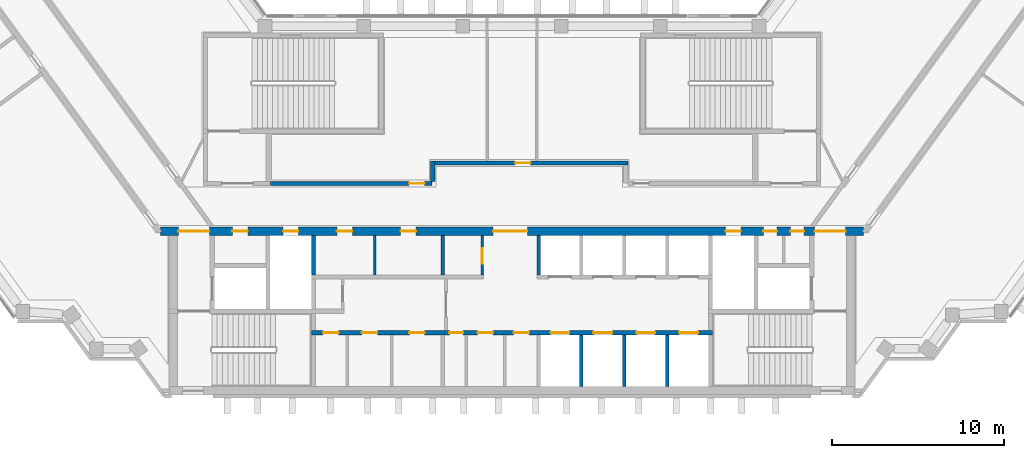
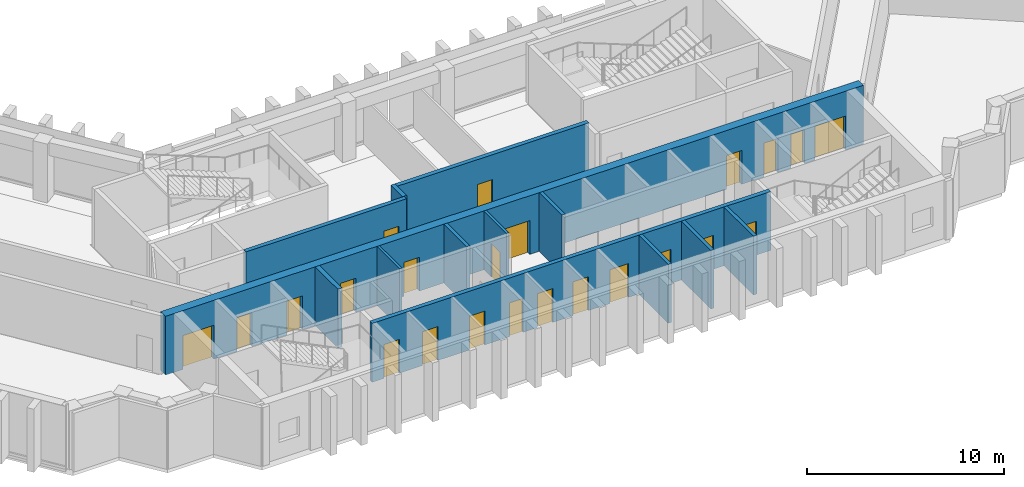
# One storey, part 7 of 12: 23 doors, 13 walls, 23 openings.
"""IFC4 building model written with IfcOpenShell, lengths in metres."""

from ifc_helpers import new_model, si_unit, direction, frame, frame_2d, origin, place, context, subcontext, project, spatial, rectangle, extrude, material, layer, layer_set, type_object, element, fill, save


model = new_model("IFC4")

# Units and contexts
model_context = context("Model", 3, precision=1e-05, world=origin(), true_north=direction((0.0, 1.0)))
body_context = subcontext(model_context, "Body", "Model", "MODEL_VIEW")
ifc_project = project(units=[si_unit("LENGTHUNIT", "METRE"), si_unit("AREAUNIT", "SQUARE_METRE"), si_unit("VOLUMEUNIT", "CUBIC_METRE"), si_unit("PLANEANGLEUNIT", "RADIAN"), si_unit("MASSUNIT", "GRAM", prefix="KILO")], contexts=[model_context])

# Site, building, storey
site_placement = place(None, origin())
site = spatial("IfcSite", under=ifc_project, at=site_placement, CompositionType="ELEMENT")
building_placement = place(site_placement, origin())
building = spatial("IfcBuilding", under=site, at=building_placement, Name="Quipu Civic Tower", CompositionType="ELEMENT")
storey_placement = place(building_placement, frame((0.0, 0.0, 152.0)))
storey = spatial("IfcBuildingStorey", under=building, at=storey_placement, Name="L35", CompositionType="ELEMENT", Elevation=152.0)

# Wall, openings, doors
ifc_material_1 = material(Name="Concrete C70/85", Category="concrete")
ifc_layer_1 = layer(ifc_material_1, 0.25)
ifc_layer_set_1 = layer_set([ifc_layer_1], Name="Concrete C70/85")
wall_type_1 = type_object("IfcWallType", Name="Core wall 250", PredefinedType="SHEAR", material=ifc_layer_set_1)
wall_1_placement = place(storey_placement, frame((11.699951171875, -7.375, 0.0), z_axis=(0.0, 0.0, 1.0), x_axis=(-1.0, 0.0, 0.0)))
wall_1 = element("IfcWall", 1, at=wall_1_placement, inside=storey, type_object=wall_type_1, Name="Core wall", PredefinedType="SHEAR", context=body_context, shape_type="SweptSolid", body=[
    extrude(rectangle(XDim=23.39990234375, YDim=0.25, at=frame_2d((11.699951171875, 0.0))), origin(), (0.0, 0.0, 1.0), 3.64990234375),
])
opening_1_placement = place(wall_1_placement, frame((21.81201171875, 0.0, 0.0)))
opening_1 = element("IfcOpeningElement", 2, at=opening_1_placement, cuts=wall_1, Name="Opening CD-01", PredefinedType="OPENING", context=body_context, shape_type="SweptSolid", body=[
    extrude(rectangle(XDim=0.89990234375, YDim=2.10009765625, at=frame_2d((0.449951171875, 1.050048828125))), frame((0.0, 0.135009765625, 0.0), z_axis=(0.0, -1.0, 0.0), x_axis=(1.0, 0.0, 0.0)), (0.0, 0.0, 1.0), 0.27001953125),
])
opening_2_placement = place(wall_1_placement, frame((19.550048828125, 0.0, 0.0)))
opening_2 = element("IfcOpeningElement", 3, at=opening_2_placement, cuts=wall_1, Name="Opening CD-02", PredefinedType="OPENING", context=body_context, shape_type="SweptSolid", body=[
    extrude(rectangle(XDim=0.89990234375, YDim=2.10009765625, at=frame_2d((0.449951171875, 1.050048828125))), frame((0.0, 0.135009765625, 0.0), z_axis=(0.0, -1.0, 0.0), x_axis=(1.0, 0.0, 0.0)), (0.0, 0.0, 1.0), 0.27001953125),
])
opening_3_placement = place(wall_1_placement, frame((16.787109375, 0.0, 0.0)))
opening_3 = element("IfcOpeningElement", 4, at=opening_3_placement, cuts=wall_1, Name="Opening CD-03", PredefinedType="OPENING", context=body_context, shape_type="SweptSolid", body=[
    extrude(rectangle(XDim=0.89990234375, YDim=2.10009765625, at=frame_2d((0.449951171875, 1.050048828125))), frame((0.0, 0.135009765625, 0.0), z_axis=(0.0, -1.0, 0.0), x_axis=(1.0, 0.0, 0.0)), (0.0, 0.0, 1.0), 0.27001953125),
])
opening_4_placement = place(wall_1_placement, frame((14.550048828125, 0.0, 0.0)))
opening_4 = element("IfcOpeningElement", 5, at=opening_4_placement, cuts=wall_1, Name="Opening CD-04", PredefinedType="OPENING", context=body_context, shape_type="SweptSolid", body=[
    extrude(rectangle(XDim=0.800048828125, YDim=2.10009765625, at=frame_2d((0.39990234375, 1.050048828125))), frame((0.0, 0.135009765625, 0.0), z_axis=(0.0, -1.0, 0.0), x_axis=(1.0, 0.0, 0.0)), (0.0, 0.0, 1.0), 0.27001953125),
])
opening_5_placement = place(wall_1_placement, frame((12.800048828125, 0.0, 0.0)))
opening_5 = element("IfcOpeningElement", 6, at=opening_5_placement, cuts=wall_1, Name="Opening CD-05", PredefinedType="OPENING", context=body_context, shape_type="SweptSolid", body=[
    extrude(rectangle(XDim=0.89990234375, YDim=2.10009765625, at=frame_2d((0.449951171875, 1.050048828125))), frame((0.0, 0.135009765625, 0.0), z_axis=(0.0, -1.0, 0.0), x_axis=(1.0, 0.0, 0.0)), (0.0, 0.0, 1.0), 0.27001953125),
])
opening_6_placement = place(wall_1_placement, frame((10.699951171875, 0.0, 0.0)))
opening_6 = element("IfcOpeningElement", 7, at=opening_6_placement, cuts=wall_1, Name="Opening CD-06", PredefinedType="OPENING", context=body_context, shape_type="SweptSolid", body=[
    extrude(rectangle(XDim=0.89990234375, YDim=2.10009765625, at=frame_2d((0.449951171875, 1.050048828125))), frame((0.0, 0.135009765625, 0.0), z_axis=(0.0, -1.0, 0.0), x_axis=(1.0, 0.0, 0.0)), (0.0, 0.0, 1.0), 0.27001953125),
])
opening_7_placement = place(wall_1_placement, frame((8.35009765625, 0.0, 0.0)))
opening_7 = element("IfcOpeningElement", 8, at=opening_7_placement, cuts=wall_1, Name="Opening LD-ML1", PredefinedType="OPENING", context=body_context, shape_type="SweptSolid", body=[
    extrude(rectangle(XDim=1.10009765625, YDim=2.10009765625, at=frame_2d((0.550048828125, 1.050048828125))), frame((0.0, 0.135009765625, 0.0), z_axis=(0.0, -1.0, 0.0), x_axis=(1.0, 0.0, 0.0)), (0.0, 0.0, 1.0), 0.27001953125),
])
opening_8_placement = place(wall_1_placement, frame((5.85009765625, 0.0, 0.0)))
opening_8 = element("IfcOpeningElement", 9, at=opening_8_placement, cuts=wall_1, Name="Opening LD-ML2", PredefinedType="OPENING", context=body_context, shape_type="SweptSolid", body=[
    extrude(rectangle(XDim=1.10009765625, YDim=2.10009765625, at=frame_2d((0.550048828125, 1.050048828125))), frame((0.0, 0.135009765625, 0.0), z_axis=(0.0, -1.0, 0.0), x_axis=(1.0, 0.0, 0.0)), (0.0, 0.0, 1.0), 0.27001953125),
])
opening_9_placement = place(wall_1_placement, frame((3.35009765625, 0.0, 0.0)))
opening_9 = element("IfcOpeningElement", 10, at=opening_9_placement, cuts=wall_1, Name="Opening LD-ML3", PredefinedType="OPENING", context=body_context, shape_type="SweptSolid", body=[
    extrude(rectangle(XDim=1.10009765625, YDim=2.10009765625, at=frame_2d((0.550048828125, 1.050048828125))), frame((0.0, 0.135009765625, 0.0), z_axis=(0.0, -1.0, 0.0), x_axis=(1.0, 0.0, 0.0)), (0.0, 0.0, 1.0), 0.27001953125),
])
opening_10_placement = place(wall_1_placement, frame((0.85009765625, 0.0, 0.0)))
opening_10 = element("IfcOpeningElement", 11, at=opening_10_placement, cuts=wall_1, Name="Opening LD-ML4", PredefinedType="OPENING", context=body_context, shape_type="SweptSolid", body=[
    extrude(rectangle(XDim=1.10009765625, YDim=2.10009765625, at=frame_2d((0.550048828125, 1.050048828125))), frame((0.0, 0.135009765625, 0.0), z_axis=(0.0, -1.0, 0.0), x_axis=(1.0, 0.0, 0.0)), (0.0, 0.0, 1.0), 0.27001953125),
])
ifc_material_2 = material(Name="Fire rated steel door", Category="steel")
door_type_1 = type_object("IfcDoorType", Name="Fire door FD60 800 x 2100", OperationType="NOTDEFINED", PredefinedType="DOOR", material=ifc_material_2)
door_1_placement = place(opening_4_placement, origin())
door_1 = element("IfcDoor", 12, at=door_1_placement, inside=storey, type_object=door_type_1, Name="Door", OperationType="SINGLE_SWING_RIGHT", OverallHeight=2.10009765625, OverallWidth=0.800048828125, PredefinedType="DOOR", context=body_context, shape_type="SweptSolid", body=[
    extrude(rectangle(XDim=0.800048828125, YDim=2.10009765625, at=frame_2d((0.39990234375, 1.050048828125))), frame((0.0, 0.02490234375, 0.0), z_axis=(0.0, -1.0, 0.0), x_axis=(1.0, 0.0, 0.0)), (0.0, 0.0, 1.0), 0.050048828125),
])
fill(opening_4, door_1)
ifc_material_3 = material(Name="Fire rated steel door", Category="steel")
door_type_2 = type_object("IfcDoorType", Name="Fire door FD60 900 x 2100", OperationType="NOTDEFINED", PredefinedType="DOOR", material=ifc_material_3)
door_2_placement = place(opening_1_placement, origin())
door_2 = element("IfcDoor", 13, at=door_2_placement, inside=storey, type_object=door_type_2, Name="Door", OperationType="SINGLE_SWING_RIGHT", OverallHeight=2.10009765625, OverallWidth=0.89990234375, PredefinedType="DOOR", context=body_context, shape_type="SweptSolid", body=[
    extrude(rectangle(XDim=0.89990234375, YDim=2.10009765625, at=frame_2d((0.449951171875, 1.050048828125))), frame((0.0, 0.02490234375, 0.0), z_axis=(0.0, -1.0, 0.0), x_axis=(1.0, 0.0, 0.0)), (0.0, 0.0, 1.0), 0.050048828125),
])
fill(opening_1, door_2)
door_3_placement = place(opening_2_placement, origin())
door_3 = element("IfcDoor", 14, at=door_3_placement, inside=storey, type_object=door_type_2, Name="Door", OperationType="SINGLE_SWING_RIGHT", OverallHeight=2.10009765625, OverallWidth=0.89990234375, PredefinedType="DOOR", context=body_context, shape_type="SweptSolid", body=[
    extrude(rectangle(XDim=0.89990234375, YDim=2.10009765625, at=frame_2d((0.449951171875, 1.050048828125))), frame((0.0, 0.02490234375, 0.0), z_axis=(0.0, -1.0, 0.0), x_axis=(1.0, 0.0, 0.0)), (0.0, 0.0, 1.0), 0.050048828125),
])
fill(opening_2, door_3)
door_4_placement = place(opening_3_placement, origin())
door_4 = element("IfcDoor", 15, at=door_4_placement, inside=storey, type_object=door_type_2, Name="Door", OperationType="SINGLE_SWING_RIGHT", OverallHeight=2.10009765625, OverallWidth=0.89990234375, PredefinedType="DOOR", context=body_context, shape_type="SweptSolid", body=[
    extrude(rectangle(XDim=0.89990234375, YDim=2.10009765625, at=frame_2d((0.449951171875, 1.050048828125))), frame((0.0, 0.02490234375, 0.0), z_axis=(0.0, -1.0, 0.0), x_axis=(1.0, 0.0, 0.0)), (0.0, 0.0, 1.0), 0.050048828125),
])
fill(opening_3, door_4)
door_5_placement = place(opening_5_placement, origin())
door_5 = element("IfcDoor", 16, at=door_5_placement, inside=storey, type_object=door_type_2, Name="WC door", OperationType="SINGLE_SWING_RIGHT", OverallHeight=2.10009765625, OverallWidth=0.89990234375, PredefinedType="DOOR", context=body_context, shape_type="SweptSolid", body=[
    extrude(rectangle(XDim=0.89990234375, YDim=2.10009765625, at=frame_2d((0.449951171875, 1.050048828125))), frame((0.0, 0.02490234375, 0.0), z_axis=(0.0, -1.0, 0.0), x_axis=(1.0, 0.0, 0.0)), (0.0, 0.0, 1.0), 0.050048828125),
])
fill(opening_5, door_5)
door_6_placement = place(opening_6_placement, origin())
door_6 = element("IfcDoor", 17, at=door_6_placement, inside=storey, type_object=door_type_2, Name="WC door", OperationType="SINGLE_SWING_LEFT", OverallHeight=2.10009765625, OverallWidth=0.89990234375, PredefinedType="DOOR", context=body_context, shape_type="SweptSolid", body=[
    extrude(rectangle(XDim=0.89990234375, YDim=2.10009765625, at=frame_2d((0.449951171875, 1.050048828125))), frame((0.0, 0.02490234375, 0.0), z_axis=(0.0, -1.0, 0.0), x_axis=(1.0, 0.0, 0.0)), (0.0, 0.0, 1.0), 0.050048828125),
])
fill(opening_6, door_6)
ifc_material_4 = material(Name="Stainless steel", Category="steel")
door_type_3 = type_object("IfcDoorType", Name="Lift landing door 1100 x 2100", OperationType="DOUBLE_DOOR_SLIDING", PredefinedType="DOOR", material=ifc_material_4)
door_7_placement = place(opening_7_placement, origin())
door_7 = element("IfcDoor", 18, at=door_7_placement, inside=storey, type_object=door_type_3, Name="Landing door ML1", OperationType="DOUBLE_DOOR_SLIDING", OverallHeight=2.10009765625, OverallWidth=1.10009765625, PredefinedType="DOOR", context=body_context, shape_type="SweptSolid", body=[
    extrude(rectangle(XDim=1.10009765625, YDim=2.10009765625, at=frame_2d((0.550048828125, 1.050048828125))), frame((0.0, 0.02490234375, 0.0), z_axis=(0.0, -1.0, 0.0), x_axis=(1.0, 0.0, 0.0)), (0.0, 0.0, 1.0), 0.050048828125),
])
fill(opening_7, door_7)
door_8_placement = place(opening_8_placement, origin())
door_8 = element("IfcDoor", 19, at=door_8_placement, inside=storey, type_object=door_type_3, Name="Landing door ML2", OperationType="DOUBLE_DOOR_SLIDING", OverallHeight=2.10009765625, OverallWidth=1.10009765625, PredefinedType="DOOR", context=body_context, shape_type="SweptSolid", body=[
    extrude(rectangle(XDim=1.10009765625, YDim=2.10009765625, at=frame_2d((0.550048828125, 1.050048828125))), frame((0.0, 0.02490234375, 0.0), z_axis=(0.0, -1.0, 0.0), x_axis=(1.0, 0.0, 0.0)), (0.0, 0.0, 1.0), 0.050048828125),
])
fill(opening_8, door_8)
door_9_placement = place(opening_9_placement, origin())
door_9 = element("IfcDoor", 20, at=door_9_placement, inside=storey, type_object=door_type_3, Name="Landing door ML3", OperationType="DOUBLE_DOOR_SLIDING", OverallHeight=2.10009765625, OverallWidth=1.10009765625, PredefinedType="DOOR", context=body_context, shape_type="SweptSolid", body=[
    extrude(rectangle(XDim=1.10009765625, YDim=2.10009765625, at=frame_2d((0.550048828125, 1.050048828125))), frame((0.0, 0.02490234375, 0.0), z_axis=(0.0, -1.0, 0.0), x_axis=(1.0, 0.0, 0.0)), (0.0, 0.0, 1.0), 0.050048828125),
])
fill(opening_9, door_9)
door_10_placement = place(opening_10_placement, origin())
door_10 = element("IfcDoor", 21, at=door_10_placement, inside=storey, type_object=door_type_3, Name="Landing door ML4", OperationType="DOUBLE_DOOR_SLIDING", OverallHeight=2.10009765625, OverallWidth=1.10009765625, PredefinedType="DOOR", context=body_context, shape_type="SweptSolid", body=[
    extrude(rectangle(XDim=1.10009765625, YDim=2.10009765625, at=frame_2d((0.550048828125, 1.050048828125))), frame((0.0, 0.02490234375, 0.0), z_axis=(0.0, -1.0, 0.0), x_axis=(1.0, 0.0, 0.0)), (0.0, 0.0, 1.0), 0.050048828125),
])
fill(opening_10, door_10)

# Wall
wall_2_placement = place(storey_placement, frame((-11.574951171875, -4.0, 0.0), z_axis=(0.0, 0.0, 1.0), x_axis=(0.0, 1.0, 0.0)))
element("IfcWall", 22, at=wall_2_placement, inside=storey, type_object=wall_type_1, Name="Core wall", PredefinedType="SHEAR", context=body_context, shape_type="SweptSolid", body=[
    extrude(rectangle(XDim=2.300048828125, YDim=0.25, at=frame_2d((1.14990234375, 0.0))), origin(), (0.0, 0.0, 1.0), 3.64990234375),
])

# Wall, openings, doors
ifc_material_5 = material(Name="Concrete C70/85", Category="concrete")
ifc_layer_2 = layer(ifc_material_5, 0.5)
ifc_layer_set_2 = layer_set([ifc_layer_2], Name="Concrete C70/85")
wall_type_2 = type_object("IfcWallType", Name="Core wall 500", PredefinedType="SHEAR", material=ifc_layer_set_2)
wall_3_placement = place(storey_placement, frame((20.489990234375, -1.449951171875, 0.0), z_axis=(0.0, 0.0, 1.0), x_axis=(-1.0, 0.0, 0.0)))
wall_3 = element("IfcWall", 23, at=wall_3_placement, inside=storey, type_object=wall_type_2, Name="Core wall", PredefinedType="SHEAR", context=body_context, shape_type="SweptSolid", body=[
    extrude(rectangle(XDim=40.97998046875, YDim=0.5, at=frame_2d((20.489990234375, 0.0))), origin(), (0.0, 0.0, 1.0), 3.64990234375),
])
opening_11_placement = place(wall_3_placement, frame((38.139892578125, 0.0, 0.0)))
opening_11 = element("IfcOpeningElement", 24, at=opening_11_placement, cuts=wall_3, Name="Opening CD-12", PredefinedType="OPENING", context=body_context, shape_type="SweptSolid", body=[
    extrude(rectangle(XDim=1.800048828125, YDim=2.10009765625, at=frame_2d((0.89990234375, 1.050048828125))), frame((0.0, 0.260009765625, 0.0), z_axis=(0.0, -1.0, 0.0), x_axis=(1.0, 0.0, 0.0)), (0.0, 0.0, 1.0), 0.52001953125),
])
opening_12_placement = place(wall_3_placement, frame((35.889892578125, 0.0, 0.0)))
opening_12 = element("IfcOpeningElement", 25, at=opening_12_placement, cuts=wall_3, Name="Opening CD-13", PredefinedType="OPENING", context=body_context, shape_type="SweptSolid", body=[
    extrude(rectangle(XDim=0.89990234375, YDim=2.10009765625, at=frame_2d((0.449951171875, 1.050048828125))), frame((0.0, 0.260009765625, 0.0), z_axis=(0.0, -1.0, 0.0), x_axis=(1.0, 0.0, 0.0)), (0.0, 0.0, 1.0), 0.52001953125),
])
opening_13_placement = place(wall_3_placement, frame((32.93994140625, 0.0, 0.0)))
opening_13 = element("IfcOpeningElement", 26, at=opening_13_placement, cuts=wall_3, Name="Opening CD-14", PredefinedType="OPENING", context=body_context, shape_type="SweptSolid", body=[
    extrude(rectangle(XDim=0.89990234375, YDim=2.10009765625, at=frame_2d((0.449951171875, 1.050048828125))), frame((0.0, 0.260009765625, 0.0), z_axis=(0.0, -1.0, 0.0), x_axis=(1.0, 0.0, 0.0)), (0.0, 0.0, 1.0), 0.52001953125),
])
opening_14_placement = place(wall_3_placement, frame((29.802490234375, 0.0, 0.0)))
opening_14 = element("IfcOpeningElement", 27, at=opening_14_placement, cuts=wall_3, Name="Opening CD-15", PredefinedType="OPENING", context=body_context, shape_type="SweptSolid", body=[
    extrude(rectangle(XDim=0.89990234375, YDim=2.10009765625, at=frame_2d((0.449951171875, 1.050048828125))), frame((0.0, 0.260009765625, 0.0), z_axis=(0.0, -1.0, 0.0), x_axis=(1.0, 0.0, 0.0)), (0.0, 0.0, 1.0), 0.52001953125),
])
opening_15_placement = place(wall_3_placement, frame((26.077392578125, 0.0, 0.0)))
opening_15 = element("IfcOpeningElement", 28, at=opening_15_placement, cuts=wall_3, Name="Opening CD-16", PredefinedType="OPENING", context=body_context, shape_type="SweptSolid", body=[
    extrude(rectangle(XDim=0.89990234375, YDim=2.10009765625, at=frame_2d((0.449951171875, 1.050048828125))), frame((0.0, 0.260009765625, 0.0), z_axis=(0.0, -1.0, 0.0), x_axis=(1.0, 0.0, 0.0)), (0.0, 0.0, 1.0), 0.52001953125),
])
opening_16_placement = place(wall_3_placement, frame((19.590087890625, 0.0, 0.0)))
opening_16 = element("IfcOpeningElement", 29, at=opening_16_placement, cuts=wall_3, Name="Opening CD-17", PredefinedType="OPENING", context=body_context, shape_type="SweptSolid", body=[
    extrude(rectangle(XDim=2.0, YDim=2.10009765625, at=frame_2d((1.0, 1.050048828125))), frame((0.0, 0.260009765625, 0.0), z_axis=(0.0, -1.0, 0.0), x_axis=(1.0, 0.0, 0.0)), (0.0, 0.0, 1.0), 0.52001953125),
])
opening_17_placement = place(wall_3_placement, frame((7.139892578125, 0.0, 0.0)))
opening_17 = element("IfcOpeningElement", 30, at=opening_17_placement, cuts=wall_3, Name="Opening CD-18", PredefinedType="OPENING", context=body_context, shape_type="SweptSolid", body=[
    extrude(rectangle(XDim=0.89990234375, YDim=2.10009765625, at=frame_2d((0.449951171875, 1.050048828125))), frame((0.0, 0.260009765625, 0.0), z_axis=(0.0, -1.0, 0.0), x_axis=(1.0, 0.0, 0.0)), (0.0, 0.0, 1.0), 0.52001953125),
])
opening_18_placement = place(wall_3_placement, frame((5.027587890625, 0.0, 0.0)))
opening_18 = element("IfcOpeningElement", 31, at=opening_18_placement, cuts=wall_3, Name="Opening CD-19", PredefinedType="OPENING", context=body_context, shape_type="SweptSolid", body=[
    extrude(rectangle(XDim=0.800048828125, YDim=2.10009765625, at=frame_2d((0.39990234375, 1.050048828125))), frame((0.0, 0.260009765625, 0.0), z_axis=(0.0, -1.0, 0.0), x_axis=(1.0, 0.0, 0.0)), (0.0, 0.0, 1.0), 0.52001953125),
])
opening_19_placement = place(wall_3_placement, frame((3.452392578125, 0.0, 0.0)))
opening_19 = element("IfcOpeningElement", 32, at=opening_19_placement, cuts=wall_3, Name="Opening CD-20", PredefinedType="OPENING", context=body_context, shape_type="SweptSolid", body=[
    extrude(rectangle(XDim=0.800048828125, YDim=2.10009765625, at=frame_2d((0.39990234375, 1.050048828125))), frame((0.0, 0.260009765625, 0.0), z_axis=(0.0, -1.0, 0.0), x_axis=(1.0, 0.0, 0.0)), (0.0, 0.0, 1.0), 0.52001953125),
])
opening_20_placement = place(wall_3_placement, frame((1.0400390625, 0.0, 0.0)))
opening_20 = element("IfcOpeningElement", 33, at=opening_20_placement, cuts=wall_3, Name="Opening CD-21", PredefinedType="OPENING", context=body_context, shape_type="SweptSolid", body=[
    extrude(rectangle(XDim=1.800048828125, YDim=2.10009765625, at=frame_2d((0.89990234375, 1.050048828125))), frame((0.0, 0.260009765625, 0.0), z_axis=(0.0, -1.0, 0.0), x_axis=(1.0, 0.0, 0.0)), (0.0, 0.0, 1.0), 0.52001953125),
])
door_11_placement = place(opening_18_placement, origin())
door_11 = element("IfcDoor", 34, at=door_11_placement, inside=storey, type_object=door_type_1, Name="Door", OperationType="SINGLE_SWING_LEFT", OverallHeight=2.10009765625, OverallWidth=0.800048828125, PredefinedType="DOOR", context=body_context, shape_type="SweptSolid", body=[
    extrude(rectangle(XDim=0.800048828125, YDim=2.10009765625, at=frame_2d((0.39990234375, 1.050048828125))), frame((0.0, 0.02490234375, 0.0), z_axis=(0.0, -1.0, 0.0), x_axis=(1.0, 0.0, 0.0)), (0.0, 0.0, 1.0), 0.050048828125),
])
fill(opening_18, door_11)
door_12_placement = place(opening_19_placement, origin())
door_12 = element("IfcDoor", 35, at=door_12_placement, inside=storey, type_object=door_type_1, Name="Door", OperationType="SINGLE_SWING_LEFT", OverallHeight=2.10009765625, OverallWidth=0.800048828125, PredefinedType="DOOR", context=body_context, shape_type="SweptSolid", body=[
    extrude(rectangle(XDim=0.800048828125, YDim=2.10009765625, at=frame_2d((0.39990234375, 1.050048828125))), frame((0.0, 0.02490234375, 0.0), z_axis=(0.0, -1.0, 0.0), x_axis=(1.0, 0.0, 0.0)), (0.0, 0.0, 1.0), 0.050048828125),
])
fill(opening_19, door_12)
door_13_placement = place(opening_12_placement, origin())
door_13 = element("IfcDoor", 36, at=door_13_placement, inside=storey, type_object=door_type_2, Name="Door", OperationType="SINGLE_SWING_RIGHT", OverallHeight=2.10009765625, OverallWidth=0.89990234375, PredefinedType="DOOR", context=body_context, shape_type="SweptSolid", body=[
    extrude(rectangle(XDim=0.89990234375, YDim=2.10009765625, at=frame_2d((0.449951171875, 1.050048828125))), frame((0.0, 0.02490234375, 0.0), z_axis=(0.0, -1.0, 0.0), x_axis=(1.0, 0.0, 0.0)), (0.0, 0.0, 1.0), 0.050048828125),
])
fill(opening_12, door_13)
door_14_placement = place(opening_13_placement, origin())
door_14 = element("IfcDoor", 37, at=door_14_placement, inside=storey, type_object=door_type_2, Name="Riser door", OperationType="SINGLE_SWING_RIGHT", OverallHeight=2.10009765625, OverallWidth=0.89990234375, PredefinedType="DOOR", context=body_context, shape_type="SweptSolid", body=[
    extrude(rectangle(XDim=0.89990234375, YDim=2.10009765625, at=frame_2d((0.449951171875, 1.050048828125))), frame((0.0, 0.02490234375, 0.0), z_axis=(0.0, -1.0, 0.0), x_axis=(1.0, 0.0, 0.0)), (0.0, 0.0, 1.0), 0.050048828125),
])
fill(opening_13, door_14)
door_15_placement = place(opening_14_placement, origin())
door_15 = element("IfcDoor", 38, at=door_15_placement, inside=storey, type_object=door_type_2, Name="Door", OperationType="SINGLE_SWING_RIGHT", OverallHeight=2.10009765625, OverallWidth=0.89990234375, PredefinedType="DOOR", context=body_context, shape_type="SweptSolid", body=[
    extrude(rectangle(XDim=0.89990234375, YDim=2.10009765625, at=frame_2d((0.449951171875, 1.050048828125))), frame((0.0, 0.02490234375, 0.0), z_axis=(0.0, -1.0, 0.0), x_axis=(1.0, 0.0, 0.0)), (0.0, 0.0, 1.0), 0.050048828125),
])
fill(opening_14, door_15)
door_16_placement = place(opening_15_placement, origin())
door_16 = element("IfcDoor", 39, at=door_16_placement, inside=storey, type_object=door_type_2, Name="Door", OperationType="SINGLE_SWING_RIGHT", OverallHeight=2.10009765625, OverallWidth=0.89990234375, PredefinedType="DOOR", context=body_context, shape_type="SweptSolid", body=[
    extrude(rectangle(XDim=0.89990234375, YDim=2.10009765625, at=frame_2d((0.449951171875, 1.050048828125))), frame((0.0, 0.02490234375, 0.0), z_axis=(0.0, -1.0, 0.0), x_axis=(1.0, 0.0, 0.0)), (0.0, 0.0, 1.0), 0.050048828125),
])
fill(opening_15, door_16)
door_17_placement = place(opening_17_placement, origin())
door_17 = element("IfcDoor", 40, at=door_17_placement, inside=storey, type_object=door_type_2, Name="Riser door", OperationType="SINGLE_SWING_LEFT", OverallHeight=2.10009765625, OverallWidth=0.89990234375, PredefinedType="DOOR", context=body_context, shape_type="SweptSolid", body=[
    extrude(rectangle(XDim=0.89990234375, YDim=2.10009765625, at=frame_2d((0.449951171875, 1.050048828125))), frame((0.0, 0.02490234375, 0.0), z_axis=(0.0, -1.0, 0.0), x_axis=(1.0, 0.0, 0.0)), (0.0, 0.0, 1.0), 0.050048828125),
])
fill(opening_17, door_17)
ifc_material_6 = material(Name="Fire rated steel door", Category="steel")
door_type_4 = type_object("IfcDoorType", Name="Fire door FD90 double 1800 x 2100", OperationType="NOTDEFINED", PredefinedType="DOOR", material=ifc_material_6)
door_18_placement = place(opening_11_placement, origin())
door_18 = element("IfcDoor", 41, at=door_18_placement, inside=storey, type_object=door_type_4, Name="Lobby door", OperationType="DOUBLE_DOOR_SINGLE_SWING", OverallHeight=2.10009765625, OverallWidth=1.800048828125, PredefinedType="DOOR", context=body_context, shape_type="SweptSolid", body=[
    extrude(rectangle(XDim=1.800048828125, YDim=2.10009765625, at=frame_2d((0.89990234375, 1.050048828125))), frame((0.0, 0.02490234375, 0.0), z_axis=(0.0, -1.0, 0.0), x_axis=(1.0, 0.0, 0.0)), (0.0, 0.0, 1.0), 0.050048828125),
])
fill(opening_11, door_18)
door_19_placement = place(opening_20_placement, origin())
door_19 = element("IfcDoor", 42, at=door_19_placement, inside=storey, type_object=door_type_4, Name="Lobby door", OperationType="DOUBLE_DOOR_SINGLE_SWING", OverallHeight=2.10009765625, OverallWidth=1.800048828125, PredefinedType="DOOR", context=body_context, shape_type="SweptSolid", body=[
    extrude(rectangle(XDim=1.800048828125, YDim=2.10009765625, at=frame_2d((0.89990234375, 1.050048828125))), frame((0.0, 0.02490234375, 0.0), z_axis=(0.0, -1.0, 0.0), x_axis=(1.0, 0.0, 0.0)), (0.0, 0.0, 1.0), 0.050048828125),
])
fill(opening_20, door_19)
ifc_material_7 = material(Name="Fire rated steel door", Category="steel")
door_type_5 = type_object("IfcDoorType", Name="Fire door FD90 double 2000 x 2100", OperationType="NOTDEFINED", PredefinedType="DOOR", material=ifc_material_7)
door_20_placement = place(opening_16_placement, origin())
door_20 = element("IfcDoor", 43, at=door_20_placement, inside=storey, type_object=door_type_5, Name="Lobby door", OperationType="DOUBLE_DOOR_SINGLE_SWING", OverallHeight=2.10009765625, OverallWidth=2.0, PredefinedType="DOOR", context=body_context, shape_type="SweptSolid", body=[
    extrude(rectangle(XDim=2.0, YDim=2.10009765625, at=frame_2d((1.0, 1.050048828125))), frame((0.0, 0.02490234375, 0.0), z_axis=(0.0, -1.0, 0.0), x_axis=(1.0, 0.0, 0.0)), (0.0, 0.0, 1.0), 0.050048828125),
])
fill(opening_16, door_20)

# Wall, opening, door
ifc_material_8 = material(Name="Concrete C50/60", Category="concrete")
ifc_layer_3 = layer(ifc_material_8, 0.25)
ifc_layer_set_3 = layer_set([ifc_layer_3], Name="Concrete C50/60")
wall_type_3 = type_object("IfcWallType", Name="Corridor wall 250 concrete", PredefinedType="SOLIDWALL", material=ifc_layer_set_3)
wall_4_placement = place(storey_placement, frame((-14.090087890625, 1.324951171875, 0.0), z_axis=(0.0, 0.0, 1.0), x_axis=(1.0, 0.0, 0.0)))
wall_4 = element("IfcWall", 44, at=wall_4_placement, inside=storey, type_object=wall_type_3, Name="Corridor wall C07", PredefinedType="SOLIDWALL", context=body_context, shape_type="SweptSolid", body=[
    extrude(rectangle(XDim=9.431396484375, YDim=0.25, at=frame_2d((4.7158203125, 0.0))), origin(), (0.0, 0.0, 1.0), 3.64990234375),
])
opening_21_placement = place(wall_4_placement, frame((8.090087890625, 0.0, 0.0)))
opening_21 = element("IfcOpeningElement", 45, at=opening_21_placement, cuts=wall_4, Name="Opening D008", PredefinedType="OPENING", context=body_context, shape_type="SweptSolid", body=[
    extrude(rectangle(XDim=0.89990234375, YDim=2.10009765625, at=frame_2d((0.449951171875, 1.050048828125))), frame((0.0, 0.135009765625, 0.0), z_axis=(0.0, -1.0, 0.0), x_axis=(1.0, 0.0, 0.0)), (0.0, 0.0, 1.0), 0.27001953125),
])
ifc_material_9 = material(Name="Fire rated timber door set with metal frame", Category="wood")
door_type_6 = type_object("IfcDoorType", Name="Single door 900 x 2100 FD60", OperationType="NOTDEFINED", PredefinedType="DOOR", material=ifc_material_9)
door_21_placement = place(opening_21_placement, origin())
door_21 = element("IfcDoor", 46, at=door_21_placement, inside=storey, type_object=door_type_6, Name="Door D008", OperationType="SINGLE_SWING_RIGHT", OverallHeight=2.10009765625, OverallWidth=0.89990234375, PredefinedType="DOOR", context=body_context, shape_type="SweptSolid", body=[
    extrude(rectangle(XDim=0.89990234375, YDim=2.10009765625, at=frame_2d((0.449951171875, 1.050048828125))), frame((0.0, 0.02490234375, 0.0), z_axis=(0.0, -1.0, 0.0), x_axis=(1.0, 0.0, 0.0)), (0.0, 0.0, 1.0), 0.050048828125),
])
fill(opening_21, door_21)

# Wall
wall_5_placement = place(storey_placement, frame((-4.625, 1.45361328125, 0.0), z_axis=(0.0, 0.0, 1.0), x_axis=(0.0, 1.0, 0.0)))
element("IfcWall", 47, at=wall_5_placement, inside=storey, type_object=wall_type_3, Name="Corridor wall C08", PredefinedType="SOLIDWALL", context=body_context, shape_type="SweptSolid", body=[
    extrude(rectangle(XDim=1.1962890625, YDim=0.25, at=frame_2d((0.59814453125, 0.0))), origin(), (0.0, 0.0, 1.0), 3.64990234375),
])

# Wall, opening, door
wall_6_placement = place(storey_placement, frame((-4.5, 2.52490234375, 0.0), z_axis=(0.0, 0.0, 1.0), x_axis=(1.0, 0.0, 0.0)))
wall_6 = element("IfcWall", 48, at=wall_6_placement, inside=storey, type_object=wall_type_3, Name="Corridor wall C09", PredefinedType="SOLIDWALL", context=body_context, shape_type="SweptSolid", body=[
    extrude(rectangle(XDim=11.25, YDim=0.25, at=frame_2d((5.625, 0.0))), origin(), (0.0, 0.0, 1.0), 3.64990234375),
])
opening_22_placement = place(wall_6_placement, frame((4.68896484375, 0.0, 0.0)))
opening_22 = element("IfcOpeningElement", 49, at=opening_22_placement, cuts=wall_6, Name="Opening D009", PredefinedType="OPENING", context=body_context, shape_type="SweptSolid", body=[
    extrude(rectangle(XDim=0.89990234375, YDim=2.10009765625, at=frame_2d((0.449951171875, 1.050048828125))), frame((0.0, 0.135009765625, 0.0), z_axis=(0.0, -1.0, 0.0), x_axis=(1.0, 0.0, 0.0)), (0.0, 0.0, 1.0), 0.27001953125),
])
door_22_placement = place(opening_22_placement, origin())
door_22 = element("IfcDoor", 50, at=door_22_placement, inside=storey, type_object=door_type_6, Name="Door D009", OperationType="SINGLE_SWING_RIGHT", OverallHeight=2.10009765625, OverallWidth=0.89990234375, PredefinedType="DOOR", context=body_context, shape_type="SweptSolid", body=[
    extrude(rectangle(XDim=0.89990234375, YDim=2.10009765625, at=frame_2d((0.449951171875, 1.050048828125))), frame((0.0, 0.02490234375, 0.0), z_axis=(0.0, -1.0, 0.0), x_axis=(1.0, 0.0, 0.0)), (0.0, 0.0, 1.0), 0.050048828125),
])
fill(opening_22, door_22)

# Wall
ifc_material_10 = material(Name="Gypsum board partition")
ifc_layer_4 = layer(ifc_material_10, 0.14990234375)
ifc_layer_set_4 = layer_set([ifc_layer_4], Name="Gypsum board partition")
wall_type_4 = type_object("IfcWallType", Name="Partition 150", PredefinedType="PARTITIONING", material=ifc_layer_set_4)
wall_7_placement = place(storey_placement, frame((-8.0, -4.0, 0.0), z_axis=(0.0, 0.0, 1.0), x_axis=(0.0, 1.0, 0.0)))
element("IfcWall", 51, at=wall_7_placement, inside=storey, type_object=wall_type_4, Name="Partition", PredefinedType="PARTITIONING", context=body_context, shape_type="SweptSolid", body=[
    extrude(rectangle(XDim=2.300048828125, YDim=0.14990234375, at=frame_2d((1.14990234375, 0.0))), origin(), (0.0, 0.0, 1.0), 3.64990234375),
])

# Wall, opening, door
wall_8_placement = place(storey_placement, frame((-1.72509765625, -1.699951171875, 0.0), z_axis=(0.0, 0.0, 1.0), x_axis=(0.0, -1.0, 0.0)))
wall_8 = element("IfcWall", 52, at=wall_8_placement, inside=storey, type_object=wall_type_4, Name="Partition", PredefinedType="PARTITIONING", context=body_context, shape_type="SweptSolid", body=[
    extrude(rectangle(XDim=2.300048828125, YDim=0.14990234375, at=frame_2d((1.14990234375, 0.0))), origin(), (0.0, 0.0, 1.0), 3.64990234375),
])
opening_23_placement = place(wall_8_placement, frame((0.75, 0.0, 0.0)))
opening_23 = element("IfcOpeningElement", 53, at=opening_23_placement, cuts=wall_8, Name="Opening CD-11", PredefinedType="OPENING", context=body_context, shape_type="SweptSolid", body=[
    extrude(rectangle(XDim=0.89990234375, YDim=2.10009765625, at=frame_2d((0.449951171875, 1.050048828125))), frame((0.0, 0.0849609375, 0.0), z_axis=(0.0, -1.0, 0.0), x_axis=(1.0, 0.0, 0.0)), (0.0, 0.0, 1.0), 0.169921875),
])
door_23_placement = place(opening_23_placement, origin())
door_23 = element("IfcDoor", 54, at=door_23_placement, inside=storey, type_object=door_type_2, Name="WC door", OperationType="SINGLE_SWING_RIGHT", OverallHeight=2.10009765625, OverallWidth=0.89990234375, PredefinedType="DOOR", context=body_context, shape_type="SweptSolid", body=[
    extrude(rectangle(XDim=0.89990234375, YDim=2.10009765625, at=frame_2d((0.449951171875, 1.050048828125))), frame((0.0, 0.02490234375, 0.0), z_axis=(0.0, -1.0, 0.0), x_axis=(1.0, 0.0, 0.0)), (0.0, 0.0, 1.0), 0.050048828125),
])
fill(opening_23, door_23)

# Walls
ifc_material_11 = material(Name="Concrete C40/50", Category="concrete")
ifc_layer_5 = layer(ifc_material_11, 0.199951171875)
ifc_layer_set_5 = layer_set([ifc_layer_5], Name="Concrete C40/50")
wall_type_5 = type_object("IfcWallType", Name="Shaft wall 200", PredefinedType="SOLIDWALL", material=ifc_layer_set_5)
for number, where, z_axis, x_axis, name in (
    (55, (4.050048828125, -10.5, 0.0), (0.0, 0.0, 1.0), (0.0, 1.0, 0.0), "Shaft wall"),
    (56, (6.550048828125, -10.5, 0.0), (0.0, 0.0, 1.0), (0.0, 1.0, 0.0), "Shaft wall"),
    (57, (9.050048828125, -10.5, 0.0), (0.0, 0.0, 1.0), (0.0, 1.0, 0.0), "Shaft wall"),
):
    element("IfcWall", number, at=place(storey_placement, frame(where, z_axis=z_axis, x_axis=x_axis)), inside=storey, type_object=wall_type_5, Name=name, PredefinedType="SOLIDWALL", context=body_context, shape_type="SweptSolid", body=[
        extrude(rectangle(XDim=3.0, YDim=0.199951171875, at=frame_2d((1.5, 0.0))), origin(), (0.0, 0.0, 1.0), 3.64990234375),
    ])
for number, where, z_axis, x_axis, name in (
    (58, (-4.050048828125, -4.0, 0.0), (0.0, 0.0, 1.0), (0.0, 1.0, 0.0), "Shaft wall"),
    (59, (1.550048828125, -4.0, 0.0), (0.0, 0.0, 1.0), (0.0, 1.0, 0.0), "Shaft wall"),
):
    element("IfcWall", number, at=place(storey_placement, frame(where, z_axis=z_axis, x_axis=x_axis)), inside=storey, type_object=wall_type_5, Name=name, PredefinedType="SOLIDWALL", context=body_context, shape_type="SweptSolid", body=[
        extrude(rectangle(XDim=2.300048828125, YDim=0.199951171875, at=frame_2d((1.14990234375, 0.0))), origin(), (0.0, 0.0, 1.0), 3.64990234375),
    ])

save(model, "model.ifc")
